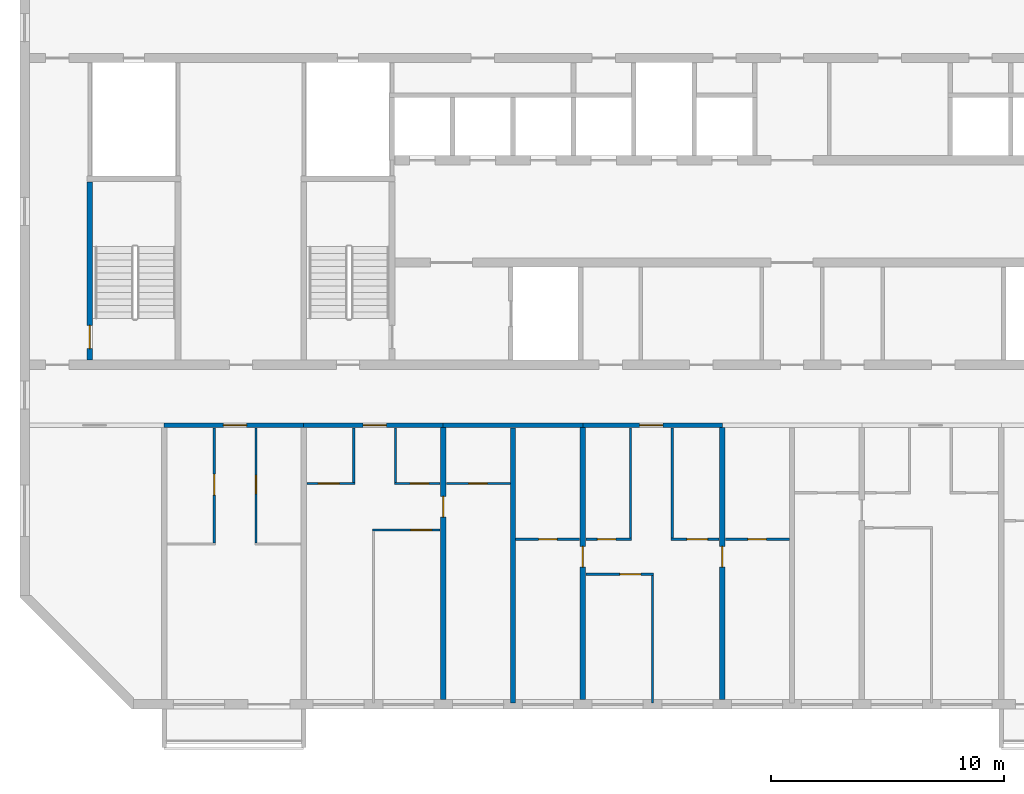
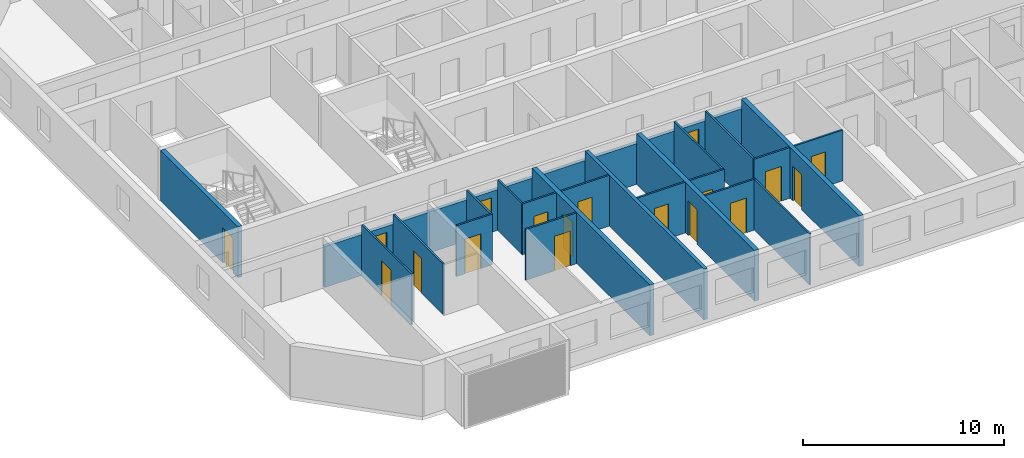
# One storey, part 2 of 28: 25 walls, 18 doors, 18 openings.
"""IFC4 building model written with IfcOpenShell, lengths in metres."""

from ifc_helpers import new_model, si_unit, direction, frame, frame_2d, origin, place, context, subcontext, project, spatial, rectangle, extrude, material, layer, layer_set, type_object, element, fill, save


model = new_model("IFC4")

# Units and contexts
model_context = context("Model", 3, precision=1e-05, world=origin(), true_north=direction((0.0, 1.0)))
body_context = subcontext(model_context, "Body", "Model", "MODEL_VIEW")
ifc_project = project(units=[si_unit("LENGTHUNIT", "METRE"), si_unit("AREAUNIT", "SQUARE_METRE"), si_unit("VOLUMEUNIT", "CUBIC_METRE"), si_unit("PLANEANGLEUNIT", "RADIAN"), si_unit("MASSUNIT", "GRAM", prefix="KILO")], contexts=[model_context])

# Site, building, storey
site_placement = place(None, origin())
site = spatial("IfcSite", under=ifc_project, at=site_placement, CompositionType="ELEMENT")
building_placement = place(site_placement, origin())
building = spatial("IfcBuilding", under=site, at=building_placement, Name="Poui Terraces", CompositionType="ELEMENT")
storey_placement = place(building_placement, frame((0.0, 0.0, 185.10009765625)))
storey = spatial("IfcBuildingStorey", under=building, at=storey_placement, Name="L51", CompositionType="ELEMENT", Elevation=185.10009765625)

# Wall, opening, door
ifc_material_1 = material(Name="Concrete 50 MPa", Category="concrete")
ifc_layer_1 = layer(ifc_material_1, 0.199951171875)
ifc_layer_set_1 = layer_set([ifc_layer_1], Name="Concrete 50 MPa")
wall_type_1 = type_object("IfcWallType", Name="CORRIDOR WALL 200 50MPa", PredefinedType="SHEAR", material=ifc_layer_set_1)
wall_1_placement = place(storey_placement, frame((24.0, 12.0, 0.0), z_axis=(0.0, 0.0, 1.0), x_axis=(1.0, 0.0, 0.0)))
wall_1 = element("IfcWall", 1, at=wall_1_placement, inside=storey, type_object=wall_type_1, Name="CORRIDOR WALL LINE B BAY 2", PredefinedType="SHEAR", context=body_context, shape_type="SweptSolid", body=[
    extrude(rectangle(XDim=6.0, YDim=0.199951171875, at=frame_2d((3.0, 0.0))), origin(), (0.0, 0.0, 1.0), 2.47998046875),
])
opening_1_placement = place(wall_1_placement, frame((2.550048828125, 0.0, 0.0)))
opening_1 = element("IfcOpeningElement", 2, at=opening_1_placement, cuts=wall_1, Name="Opening FD30S", PredefinedType="OPENING", context=body_context, shape_type="SweptSolid", body=[
    extrude(rectangle(XDim=1.0, YDim=2.10009765625, at=frame_2d((0.5, 1.050048828125))), frame((0.0, 0.10986328125, 0.0), z_axis=(0.0, -1.0, 0.0), x_axis=(1.0, 0.0, 0.0)), (0.0, 0.0, 1.0), 0.219970703125),
])
ifc_material_2 = material(Name="Steel fire door", Category="steel")
door_type_1 = type_object("IfcDoorType", Name="FLAT ENTRANCE DOOR 1000 X 2100", OperationType="NOTDEFINED", PredefinedType="DOOR", material=ifc_material_2)
door_1_placement = place(opening_1_placement, frame((1.0, 0.0, 0.0), z_axis=(0.0, 0.0, 1.0), x_axis=(-1.0, 0.0, 0.0)))
door_1 = element("IfcDoor", 3, at=door_1_placement, inside=storey, type_object=door_type_1, Name="FLAT ENTRANCE DOOR 066", OperationType="SINGLE_SWING_LEFT", OverallHeight=2.10009765625, OverallWidth=1.0, PredefinedType="DOOR", context=body_context, shape_type="SweptSolid", body=[
    extrude(rectangle(XDim=1.0, YDim=2.10009765625, at=frame_2d((0.5, 1.050048828125))), frame((0.0, 0.02490234375, 0.0), z_axis=(0.0, -1.0, 0.0), x_axis=(1.0, 0.0, 0.0)), (0.0, 0.0, 1.0), 0.050048828125),
])
fill(opening_1, door_1)

wall_2_placement = place(storey_placement, frame((30.0, 12.0, 0.0), z_axis=(0.0, 0.0, 1.0), x_axis=(1.0, 0.0, 0.0)))
wall_2 = element("IfcWall", 4, at=wall_2_placement, inside=storey, type_object=wall_type_1, Name="CORRIDOR WALL LINE B BAY 3", PredefinedType="SHEAR", context=body_context, shape_type="SweptSolid", body=[
    extrude(rectangle(XDim=6.0, YDim=0.199951171875, at=frame_2d((3.0, 0.0))), origin(), (0.0, 0.0, 1.0), 2.47998046875),
])
opening_2_placement = place(wall_2_placement, frame((2.550048828125, 0.0, 0.0)))
opening_2 = element("IfcOpeningElement", 5, at=opening_2_placement, cuts=wall_2, Name="Opening FD30S", PredefinedType="OPENING", context=body_context, shape_type="SweptSolid", body=[
    extrude(rectangle(XDim=1.0, YDim=2.10009765625, at=frame_2d((0.5, 1.050048828125))), frame((0.0, 0.10986328125, 0.0), z_axis=(0.0, -1.0, 0.0), x_axis=(1.0, 0.0, 0.0)), (0.0, 0.0, 1.0), 0.219970703125),
])
door_2_placement = place(opening_2_placement, frame((1.0, 0.0, 0.0), z_axis=(0.0, 0.0, 1.0), x_axis=(-1.0, 0.0, 0.0)))
door_2 = element("IfcDoor", 6, at=door_2_placement, inside=storey, type_object=door_type_1, Name="FLAT ENTRANCE DOOR 070", OperationType="SINGLE_SWING_LEFT", OverallHeight=2.10009765625, OverallWidth=1.0, PredefinedType="DOOR", context=body_context, shape_type="SweptSolid", body=[
    extrude(rectangle(XDim=1.0, YDim=2.10009765625, at=frame_2d((0.5, 1.050048828125))), frame((0.0, 0.02490234375, 0.0), z_axis=(0.0, -1.0, 0.0), x_axis=(1.0, 0.0, 0.0)), (0.0, 0.0, 1.0), 0.050048828125),
])
fill(opening_2, door_2)

# Wall
wall_3_placement = place(storey_placement, frame((36.0, 12.0, 0.0), z_axis=(0.0, 0.0, 1.0), x_axis=(1.0, 0.0, 0.0)))
element("IfcWall", 7, at=wall_3_placement, inside=storey, type_object=wall_type_1, Name="CORRIDOR WALL LINE B BAY 4", PredefinedType="SHEAR", context=body_context, shape_type="SweptSolid", body=[
    extrude(rectangle(XDim=6.0, YDim=0.199951171875, at=frame_2d((3.0, 0.0))), origin(), (0.0, 0.0, 1.0), 2.47998046875),
])

# Wall, opening, door
wall_4_placement = place(storey_placement, frame((42.0, 12.0, 0.0), z_axis=(0.0, 0.0, 1.0), x_axis=(1.0, 0.0, 0.0)))
wall_4 = element("IfcWall", 8, at=wall_4_placement, inside=storey, type_object=wall_type_1, Name="CORRIDOR WALL LINE B BAY 5", PredefinedType="SHEAR", context=body_context, shape_type="SweptSolid", body=[
    extrude(rectangle(XDim=6.0, YDim=0.199951171875, at=frame_2d((3.0, 0.0))), origin(), (0.0, 0.0, 1.0), 2.47998046875),
])
opening_3_placement = place(wall_4_placement, frame((2.449951171875, 0.0, 0.0)))
opening_3 = element("IfcOpeningElement", 9, at=opening_3_placement, cuts=wall_4, Name="Opening FD30S", PredefinedType="OPENING", context=body_context, shape_type="SweptSolid", body=[
    extrude(rectangle(XDim=1.0, YDim=2.10009765625, at=frame_2d((0.5, 1.050048828125))), frame((0.0, 0.10986328125, 0.0), z_axis=(0.0, -1.0, 0.0), x_axis=(1.0, 0.0, 0.0)), (0.0, 0.0, 1.0), 0.219970703125),
])
door_3_placement = place(opening_3_placement, frame((1.0, 0.0, 0.0), z_axis=(0.0, 0.0, 1.0), x_axis=(-1.0, 0.0, 0.0)))
door_3 = element("IfcDoor", 10, at=door_3_placement, inside=storey, type_object=door_type_1, Name="FLAT ENTRANCE DOOR 079", OperationType="SINGLE_SWING_RIGHT", OverallHeight=2.10009765625, OverallWidth=1.0, PredefinedType="DOOR", context=body_context, shape_type="SweptSolid", body=[
    extrude(rectangle(XDim=1.0, YDim=2.10009765625, at=frame_2d((0.5, 1.050048828125))), frame((0.0, 0.02490234375, 0.0), z_axis=(0.0, -1.0, 0.0), x_axis=(1.0, 0.0, 0.0)), (0.0, 0.0, 1.0), 0.050048828125),
])
fill(opening_3, door_3)

ifc_layer_2 = layer(ifc_material_1, 0.25)
ifc_layer_set_2 = layer_set([ifc_layer_2], Name="Concrete 50 MPa")
wall_type_2 = type_object("IfcWallType", Name="CROSS WALL 250 50MPa", PredefinedType="SHEAR", material=ifc_layer_set_2)
wall_5_placement = place(storey_placement, frame((36.0, 0.199951171875, 0.0), z_axis=(0.0, 0.0, 1.0), x_axis=(0.0, 1.0, 0.0)))
wall_5 = element("IfcWall", 11, at=wall_5_placement, inside=storey, type_object=wall_type_2, Name="CROSS WALL LINE 7 SOUTH", PredefinedType="SHEAR", context=body_context, shape_type="SweptSolid", body=[
    extrude(rectangle(XDim=11.699951171875, YDim=0.25, at=frame_2d((5.85009765625, 0.0))), origin(), (0.0, 0.0, 1.0), 3.079833984375),
])
opening_4_placement = place(wall_5_placement, frame((7.85009765625, 0.0, 0.0)))
opening_4 = element("IfcOpeningElement", 12, at=opening_4_placement, cuts=wall_5, Name="Opening D90", PredefinedType="OPENING", context=body_context, shape_type="SweptSolid", body=[
    extrude(rectangle(XDim=0.89990234375, YDim=2.10009765625, at=frame_2d((0.449951171875, 1.050048828125))), frame((0.0, 0.135009765625, 0.0), z_axis=(0.0, -1.0, 0.0), x_axis=(1.0, 0.0, 0.0)), (0.0, 0.0, 1.0), 0.27001953125),
])
ifc_material_3 = material(Name="Solid core timber door", Category="wood")
door_type_2 = type_object("IfcDoorType", Name="INTERNAL DOOR 900 X 2100", OperationType="NOTDEFINED", PredefinedType="DOOR", material=ifc_material_3)
door_4_placement = place(opening_4_placement, frame((0.89990234375, 0.0, 0.0), z_axis=(0.0, 0.0, 1.0), x_axis=(-1.0, 0.0, 0.0)))
door_4 = element("IfcDoor", 13, at=door_4_placement, inside=storey, type_object=door_type_2, Name="INTERNAL DOOR 073", OperationType="SINGLE_SWING_LEFT", OverallHeight=2.10009765625, OverallWidth=0.89990234375, PredefinedType="DOOR", context=body_context, shape_type="SweptSolid", body=[
    extrude(rectangle(XDim=0.89990234375, YDim=2.10009765625, at=frame_2d((0.449951171875, 1.050048828125))), frame((0.0, 0.02490234375, 0.0), z_axis=(0.0, -1.0, 0.0), x_axis=(1.0, 0.0, 0.0)), (0.0, 0.0, 1.0), 0.050048828125),
])
fill(opening_4, door_4)

wall_6_placement = place(storey_placement, frame((42.0, 0.199951171875, 0.0), z_axis=(0.0, 0.0, 1.0), x_axis=(0.0, 1.0, 0.0)))
wall_6 = element("IfcWall", 14, at=wall_6_placement, inside=storey, type_object=wall_type_2, Name="CROSS WALL LINE 8 SOUTH", PredefinedType="SHEAR", context=body_context, shape_type="SweptSolid", body=[
    extrude(rectangle(XDim=11.699951171875, YDim=0.25, at=frame_2d((5.85009765625, 0.0))), origin(), (0.0, 0.0, 1.0), 3.079833984375),
])
opening_5_placement = place(wall_6_placement, frame((5.699951171875, 0.0, 0.0)))
opening_5 = element("IfcOpeningElement", 15, at=opening_5_placement, cuts=wall_6, Name="Opening D90", PredefinedType="OPENING", context=body_context, shape_type="SweptSolid", body=[
    extrude(rectangle(XDim=0.89990234375, YDim=2.10009765625, at=frame_2d((0.449951171875, 1.050048828125))), frame((0.0, 0.135009765625, 0.0), z_axis=(0.0, -1.0, 0.0), x_axis=(1.0, 0.0, 0.0)), (0.0, 0.0, 1.0), 0.27001953125),
])
door_5_placement = place(opening_5_placement, origin())
door_5 = element("IfcDoor", 16, at=door_5_placement, inside=storey, type_object=door_type_2, Name="INTERNAL DOOR 076", OperationType="SINGLE_SWING_RIGHT", OverallHeight=2.10009765625, OverallWidth=0.89990234375, PredefinedType="DOOR", context=body_context, shape_type="SweptSolid", body=[
    extrude(rectangle(XDim=0.89990234375, YDim=2.10009765625, at=frame_2d((0.449951171875, 1.050048828125))), frame((0.0, 0.02490234375, 0.0), z_axis=(0.0, -1.0, 0.0), x_axis=(1.0, 0.0, 0.0)), (0.0, 0.0, 1.0), 0.050048828125),
])
fill(opening_5, door_5)

wall_7_placement = place(storey_placement, frame((48.0, 0.199951171875, 0.0), z_axis=(0.0, 0.0, 1.0), x_axis=(0.0, 1.0, 0.0)))
wall_7 = element("IfcWall", 17, at=wall_7_placement, inside=storey, type_object=wall_type_2, Name="CROSS WALL LINE 9 SOUTH", PredefinedType="SHEAR", context=body_context, shape_type="SweptSolid", body=[
    extrude(rectangle(XDim=11.699951171875, YDim=0.25, at=frame_2d((5.85009765625, 0.0))), origin(), (0.0, 0.0, 1.0), 3.079833984375),
])
opening_6_placement = place(wall_7_placement, frame((5.699951171875, 0.0, 0.0)))
opening_6 = element("IfcOpeningElement", 18, at=opening_6_placement, cuts=wall_7, Name="Opening D90", PredefinedType="OPENING", context=body_context, shape_type="SweptSolid", body=[
    extrude(rectangle(XDim=0.89990234375, YDim=2.10009765625, at=frame_2d((0.449951171875, 1.050048828125))), frame((0.0, 0.135009765625, 0.0), z_axis=(0.0, -1.0, 0.0), x_axis=(1.0, 0.0, 0.0)), (0.0, 0.0, 1.0), 0.27001953125),
])
door_6_placement = place(opening_6_placement, frame((0.89990234375, 0.0, 0.0), z_axis=(0.0, 0.0, 1.0), x_axis=(-1.0, 0.0, 0.0)))
door_6 = element("IfcDoor", 19, at=door_6_placement, inside=storey, type_object=door_type_2, Name="INTERNAL DOOR 081", OperationType="SINGLE_SWING_LEFT", OverallHeight=2.10009765625, OverallWidth=0.89990234375, PredefinedType="DOOR", context=body_context, shape_type="SweptSolid", body=[
    extrude(rectangle(XDim=0.89990234375, YDim=2.10009765625, at=frame_2d((0.449951171875, 1.050048828125))), frame((0.0, 0.02490234375, 0.0), z_axis=(0.0, -1.0, 0.0), x_axis=(1.0, 0.0, 0.0)), (0.0, 0.0, 1.0), 0.050048828125),
])
fill(opening_6, door_6)

ifc_material_4 = material(Name="Plasterboard partition")
ifc_layer_3 = layer(ifc_material_4, 0.10009765625)
ifc_layer_set_3 = layer_set([ifc_layer_3], Name="Plasterboard partition")
wall_type_3 = type_object("IfcWallType", Name="FLAT PARTITION 100", PredefinedType="PARTITIONING", material=ifc_layer_set_3)
wall_8_placement = place(storey_placement, frame((42.135009765625, 5.60009765625, 0.0), z_axis=(0.0, 0.0, 1.0), x_axis=(1.0, 0.0, 0.0)))
wall_8 = element("IfcWall", 20, at=wall_8_placement, inside=storey, type_object=wall_type_3, Name="FLAT PARTITION 100", PredefinedType="PARTITIONING", context=body_context, shape_type="SweptSolid", body=[
    extrude(rectangle(XDim=2.9150390625, YDim=0.10009765625, at=frame_2d((1.45751953125, 0.0))), origin(), (0.0, 0.0, 1.0), 3.079833984375),
])
opening_7_placement = place(wall_8_placement, frame((1.465087890625, 0.0, 0.0)))
opening_7 = element("IfcOpeningElement", 21, at=opening_7_placement, cuts=wall_8, Name="Opening D90", PredefinedType="OPENING", context=body_context, shape_type="SweptSolid", body=[
    extrude(rectangle(XDim=0.89990234375, YDim=2.10009765625, at=frame_2d((0.449951171875, 1.050048828125))), frame((0.0, 0.06005859375, 0.0), z_axis=(0.0, -1.0, 0.0), x_axis=(1.0, 0.0, 0.0)), (0.0, 0.0, 1.0), 0.1201171875),
])
door_7_placement = place(opening_7_placement, origin())
door_7 = element("IfcDoor", 22, at=door_7_placement, inside=storey, type_object=door_type_2, Name="INTERNAL DOOR 078", OperationType="SINGLE_SWING_LEFT", OverallHeight=2.10009765625, OverallWidth=0.89990234375, PredefinedType="DOOR", context=body_context, shape_type="SweptSolid", body=[
    extrude(rectangle(XDim=0.89990234375, YDim=2.10009765625, at=frame_2d((0.449951171875, 1.050048828125))), frame((0.0, 0.02490234375, 0.0), z_axis=(0.0, -1.0, 0.0), x_axis=(1.0, 0.0, 0.0)), (0.0, 0.0, 1.0), 0.050048828125),
])
fill(opening_7, door_7)

wall_9_placement = place(storey_placement, frame((39.10009765625, 7.10009765625, 0.0), z_axis=(0.0, 0.0, 1.0), x_axis=(1.0, 0.0, 0.0)))
wall_9 = element("IfcWall", 23, at=wall_9_placement, inside=storey, type_object=wall_type_3, Name="FLAT PARTITION 100", PredefinedType="PARTITIONING", context=body_context, shape_type="SweptSolid", body=[
    extrude(rectangle(XDim=2.764892578125, YDim=0.10009765625, at=frame_2d((1.38232421875, 0.0))), origin(), (0.0, 0.0, 1.0), 3.079833984375),
])
opening_8_placement = place(wall_9_placement, frame((1.0, 0.0, 0.0)))
opening_8 = element("IfcOpeningElement", 24, at=opening_8_placement, cuts=wall_9, Name="Opening D80", PredefinedType="OPENING", context=body_context, shape_type="SweptSolid", body=[
    extrude(rectangle(XDim=0.800048828125, YDim=2.10009765625, at=frame_2d((0.39990234375, 1.050048828125))), frame((0.0, 0.06005859375, 0.0), z_axis=(0.0, -1.0, 0.0), x_axis=(1.0, 0.0, 0.0)), (0.0, 0.0, 1.0), 0.1201171875),
])
door_type_3 = type_object("IfcDoorType", Name="BATHROOM, LAUNDRY AND STORE DOOR 800 X 2100", OperationType="NOTDEFINED", PredefinedType="DOOR", material=ifc_material_3)
door_8_placement = place(opening_8_placement, origin())
door_8 = element("IfcDoor", 25, at=door_8_placement, inside=storey, type_object=door_type_3, Name="BATHROOM, LAUNDRY AND STORE DOOR 074", OperationType="SINGLE_SWING_RIGHT", OverallHeight=2.10009765625, OverallWidth=0.800048828125, PredefinedType="DOOR", context=body_context, shape_type="SweptSolid", body=[
    extrude(rectangle(XDim=0.800048828125, YDim=2.10009765625, at=frame_2d((0.39990234375, 1.050048828125))), frame((0.0, 0.02490234375, 0.0), z_axis=(0.0, -1.0, 0.0), x_axis=(1.0, 0.0, 0.0)), (0.0, 0.0, 1.0), 0.050048828125),
])
fill(opening_8, door_8)

wall_10_placement = place(storey_placement, frame((42.135009765625, 7.10009765625, 0.0), z_axis=(0.0, 0.0, 1.0), x_axis=(1.0, 0.0, 0.0)))
wall_10 = element("IfcWall", 26, at=wall_10_placement, inside=storey, type_object=wall_type_3, Name="FLAT PARTITION 100", PredefinedType="PARTITIONING", context=body_context, shape_type="SweptSolid", body=[
    extrude(rectangle(XDim=1.965087890625, YDim=0.10009765625, at=frame_2d((0.982421875, 0.0))), origin(), (0.0, 0.0, 1.0), 3.079833984375),
])
opening_9_placement = place(wall_10_placement, frame((0.489990234375, 0.0, 0.0)))
opening_9 = element("IfcOpeningElement", 27, at=opening_9_placement, cuts=wall_10, Name="Opening D80", PredefinedType="OPENING", context=body_context, shape_type="SweptSolid", body=[
    extrude(rectangle(XDim=0.800048828125, YDim=2.10009765625, at=frame_2d((0.39990234375, 1.050048828125))), frame((0.0, 0.06005859375, 0.0), z_axis=(0.0, -1.0, 0.0), x_axis=(1.0, 0.0, 0.0)), (0.0, 0.0, 1.0), 0.1201171875),
])
door_9_placement = place(opening_9_placement, origin())
door_9 = element("IfcDoor", 28, at=door_9_placement, inside=storey, type_object=door_type_3, Name="BATHROOM, LAUNDRY AND STORE DOOR 077", OperationType="SINGLE_SWING_RIGHT", OverallHeight=2.10009765625, OverallWidth=0.800048828125, PredefinedType="DOOR", context=body_context, shape_type="SweptSolid", body=[
    extrude(rectangle(XDim=0.800048828125, YDim=2.10009765625, at=frame_2d((0.39990234375, 1.050048828125))), frame((0.0, 0.02490234375, 0.0), z_axis=(0.0, -1.0, 0.0), x_axis=(1.0, 0.0, 0.0)), (0.0, 0.0, 1.0), 0.050048828125),
])
fill(opening_9, door_9)

wall_11_placement = place(storey_placement, frame((45.800048828125, 7.10009765625, 0.0), z_axis=(0.0, 0.0, 1.0), x_axis=(1.0, 0.0, 0.0)))
wall_11 = element("IfcWall", 29, at=wall_11_placement, inside=storey, type_object=wall_type_3, Name="FLAT PARTITION 100", PredefinedType="PARTITIONING", context=body_context, shape_type="SweptSolid", body=[
    extrude(rectangle(XDim=2.06494140625, YDim=0.10009765625, at=frame_2d((1.032470703125, 0.0))), origin(), (0.0, 0.0, 1.0), 3.079833984375),
])
opening_10_placement = place(wall_11_placement, frame((0.675048828125, 0.0, 0.0)))
opening_10 = element("IfcOpeningElement", 30, at=opening_10_placement, cuts=wall_11, Name="Opening D90", PredefinedType="OPENING", context=body_context, shape_type="SweptSolid", body=[
    extrude(rectangle(XDim=0.89990234375, YDim=2.10009765625, at=frame_2d((0.449951171875, 1.050048828125))), frame((0.0, 0.06005859375, 0.0), z_axis=(0.0, -1.0, 0.0), x_axis=(1.0, 0.0, 0.0)), (0.0, 0.0, 1.0), 0.1201171875),
])
door_10_placement = place(opening_10_placement, origin())
door_10 = element("IfcDoor", 31, at=door_10_placement, inside=storey, type_object=door_type_2, Name="INTERNAL DOOR 080", OperationType="SINGLE_SWING_LEFT", OverallHeight=2.10009765625, OverallWidth=0.89990234375, PredefinedType="DOOR", context=body_context, shape_type="SweptSolid", body=[
    extrude(rectangle(XDim=0.89990234375, YDim=2.10009765625, at=frame_2d((0.449951171875, 1.050048828125))), frame((0.0, 0.02490234375, 0.0), z_axis=(0.0, -1.0, 0.0), x_axis=(1.0, 0.0, 0.0)), (0.0, 0.0, 1.0), 0.050048828125),
])
fill(opening_10, door_10)

wall_12_placement = place(storey_placement, frame((48.135009765625, 7.10009765625, 0.0), z_axis=(0.0, 0.0, 1.0), x_axis=(1.0, 0.0, 0.0)))
wall_12 = element("IfcWall", 32, at=wall_12_placement, inside=storey, type_object=wall_type_3, Name="FLAT PARTITION 100", PredefinedType="PARTITIONING", context=body_context, shape_type="SweptSolid", body=[
    extrude(rectangle(XDim=2.764892578125, YDim=0.10009765625, at=frame_2d((1.38232421875, 0.0))), origin(), (0.0, 0.0, 1.0), 3.079833984375),
])
opening_11_placement = place(wall_12_placement, frame((0.965087890625, 0.0, 0.0)))
opening_11 = element("IfcOpeningElement", 33, at=opening_11_placement, cuts=wall_12, Name="Opening D80", PredefinedType="OPENING", context=body_context, shape_type="SweptSolid", body=[
    extrude(rectangle(XDim=0.800048828125, YDim=2.10009765625, at=frame_2d((0.39990234375, 1.050048828125))), frame((0.0, 0.06005859375, 0.0), z_axis=(0.0, -1.0, 0.0), x_axis=(1.0, 0.0, 0.0)), (0.0, 0.0, 1.0), 0.1201171875),
])
door_11_placement = place(opening_11_placement, origin())
door_11 = element("IfcDoor", 34, at=door_11_placement, inside=storey, type_object=door_type_3, Name="BATHROOM, LAUNDRY AND STORE DOOR 075", OperationType="SINGLE_SWING_RIGHT", OverallHeight=2.10009765625, OverallWidth=0.800048828125, PredefinedType="DOOR", context=body_context, shape_type="SweptSolid", body=[
    extrude(rectangle(XDim=0.800048828125, YDim=2.10009765625, at=frame_2d((0.39990234375, 1.050048828125))), frame((0.0, 0.02490234375, 0.0), z_axis=(0.0, -1.0, 0.0), x_axis=(1.0, 0.0, 0.0)), (0.0, 0.0, 1.0), 0.050048828125),
])
fill(opening_11, door_11)

wall_13_placement = place(storey_placement, frame((32.949951171875, 7.5, 0.0), z_axis=(0.0, 0.0, 1.0), x_axis=(1.0, 0.0, 0.0)))
wall_13 = element("IfcWall", 35, at=wall_13_placement, inside=storey, type_object=wall_type_3, Name="FLAT PARTITION 100", PredefinedType="PARTITIONING", context=body_context, shape_type="SweptSolid", body=[
    extrude(rectangle(XDim=2.9150390625, YDim=0.10009765625, at=frame_2d((1.45751953125, 0.0))), origin(), (0.0, 0.0, 1.0), 3.079833984375),
])
opening_12_placement = place(wall_13_placement, frame((1.64990234375, 0.0, 0.0)))
opening_12 = element("IfcOpeningElement", 36, at=opening_12_placement, cuts=wall_13, Name="Opening D90", PredefinedType="OPENING", context=body_context, shape_type="SweptSolid", body=[
    extrude(rectangle(XDim=0.89990234375, YDim=2.10009765625, at=frame_2d((0.449951171875, 1.050048828125))), frame((0.0, 0.06005859375, 0.0), z_axis=(0.0, -1.0, 0.0), x_axis=(1.0, 0.0, 0.0)), (0.0, 0.0, 1.0), 0.1201171875),
])
door_12_placement = place(opening_12_placement, origin())
door_12 = element("IfcDoor", 37, at=door_12_placement, inside=storey, type_object=door_type_2, Name="INTERNAL DOOR 072", OperationType="SINGLE_SWING_LEFT", OverallHeight=2.10009765625, OverallWidth=0.89990234375, PredefinedType="DOOR", context=body_context, shape_type="SweptSolid", body=[
    extrude(rectangle(XDim=0.89990234375, YDim=2.10009765625, at=frame_2d((0.449951171875, 1.050048828125))), frame((0.0, 0.02490234375, 0.0), z_axis=(0.0, -1.0, 0.0), x_axis=(1.0, 0.0, 0.0)), (0.0, 0.0, 1.0), 0.050048828125),
])
fill(opening_12, door_12)

wall_14_placement = place(storey_placement, frame((30.135009765625, 9.5, 0.0), z_axis=(0.0, 0.0, 1.0), x_axis=(1.0, 0.0, 0.0)))
wall_14 = element("IfcWall", 38, at=wall_14_placement, inside=storey, type_object=wall_type_3, Name="FLAT PARTITION 100", PredefinedType="PARTITIONING", context=body_context, shape_type="SweptSolid", body=[
    extrude(rectangle(XDim=2.06494140625, YDim=0.10009765625, at=frame_2d((1.032470703125, 0.0))), origin(), (0.0, 0.0, 1.0), 3.079833984375),
])
opening_13_placement = place(wall_14_placement, frame((0.489990234375, 0.0, 0.0)))
opening_13 = element("IfcOpeningElement", 39, at=opening_13_placement, cuts=wall_14, Name="Opening D90", PredefinedType="OPENING", context=body_context, shape_type="SweptSolid", body=[
    extrude(rectangle(XDim=0.89990234375, YDim=2.10009765625, at=frame_2d((0.449951171875, 1.050048828125))), frame((0.0, 0.06005859375, 0.0), z_axis=(0.0, -1.0, 0.0), x_axis=(1.0, 0.0, 0.0)), (0.0, 0.0, 1.0), 0.1201171875),
])
door_13_placement = place(opening_13_placement, origin())
door_13 = element("IfcDoor", 40, at=door_13_placement, inside=storey, type_object=door_type_2, Name="INTERNAL DOOR 069", OperationType="SINGLE_SWING_LEFT", OverallHeight=2.10009765625, OverallWidth=0.89990234375, PredefinedType="DOOR", context=body_context, shape_type="SweptSolid", body=[
    extrude(rectangle(XDim=0.89990234375, YDim=2.10009765625, at=frame_2d((0.449951171875, 1.050048828125))), frame((0.0, 0.02490234375, 0.0), z_axis=(0.0, -1.0, 0.0), x_axis=(1.0, 0.0, 0.0)), (0.0, 0.0, 1.0), 0.050048828125),
])
fill(opening_13, door_13)

wall_15_placement = place(storey_placement, frame((33.89990234375, 9.5, 0.0), z_axis=(0.0, 0.0, 1.0), x_axis=(1.0, 0.0, 0.0)))
wall_15 = element("IfcWall", 41, at=wall_15_placement, inside=storey, type_object=wall_type_3, Name="FLAT PARTITION 100", PredefinedType="PARTITIONING", context=body_context, shape_type="SweptSolid", body=[
    extrude(rectangle(XDim=1.965087890625, YDim=0.10009765625, at=frame_2d((0.982421875, 0.0))), origin(), (0.0, 0.0, 1.0), 3.079833984375),
])
opening_14_placement = place(wall_15_placement, frame((0.675048828125, 0.0, 0.0)))
opening_14 = element("IfcOpeningElement", 42, at=opening_14_placement, cuts=wall_15, Name="Opening D80", PredefinedType="OPENING", context=body_context, shape_type="SweptSolid", body=[
    extrude(rectangle(XDim=0.800048828125, YDim=2.10009765625, at=frame_2d((0.39990234375, 1.050048828125))), frame((0.0, 0.06005859375, 0.0), z_axis=(0.0, -1.0, 0.0), x_axis=(1.0, 0.0, 0.0)), (0.0, 0.0, 1.0), 0.1201171875),
])
door_14_placement = place(opening_14_placement, origin())
door_14 = element("IfcDoor", 43, at=door_14_placement, inside=storey, type_object=door_type_3, Name="BATHROOM, LAUNDRY AND STORE DOOR 071", OperationType="SINGLE_SWING_RIGHT", OverallHeight=2.10009765625, OverallWidth=0.800048828125, PredefinedType="DOOR", context=body_context, shape_type="SweptSolid", body=[
    extrude(rectangle(XDim=0.800048828125, YDim=2.10009765625, at=frame_2d((0.39990234375, 1.050048828125))), frame((0.0, 0.02490234375, 0.0), z_axis=(0.0, -1.0, 0.0), x_axis=(1.0, 0.0, 0.0)), (0.0, 0.0, 1.0), 0.050048828125),
])
fill(opening_14, door_14)

wall_16_placement = place(storey_placement, frame((36.135009765625, 9.5, 0.0), z_axis=(0.0, 0.0, 1.0), x_axis=(1.0, 0.0, 0.0)))
wall_16 = element("IfcWall", 44, at=wall_16_placement, inside=storey, type_object=wall_type_3, Name="FLAT PARTITION 100", PredefinedType="PARTITIONING", context=body_context, shape_type="SweptSolid", body=[
    extrude(rectangle(XDim=2.764892578125, YDim=0.10009765625, at=frame_2d((1.38232421875, 0.0))), origin(), (0.0, 0.0, 1.0), 3.079833984375),
])
opening_15_placement = place(wall_16_placement, frame((0.965087890625, 0.0, 0.0)))
opening_15 = element("IfcOpeningElement", 45, at=opening_15_placement, cuts=wall_16, Name="Opening D80", PredefinedType="OPENING", context=body_context, shape_type="SweptSolid", body=[
    extrude(rectangle(XDim=0.800048828125, YDim=2.10009765625, at=frame_2d((0.39990234375, 1.050048828125))), frame((0.0, 0.06005859375, 0.0), z_axis=(0.0, -1.0, 0.0), x_axis=(1.0, 0.0, 0.0)), (0.0, 0.0, 1.0), 0.1201171875),
])
door_15_placement = place(opening_15_placement, origin())
door_15 = element("IfcDoor", 46, at=door_15_placement, inside=storey, type_object=door_type_3, Name="BATHROOM, LAUNDRY AND STORE DOOR 068", OperationType="SINGLE_SWING_LEFT", OverallHeight=2.10009765625, OverallWidth=0.800048828125, PredefinedType="DOOR", context=body_context, shape_type="SweptSolid", body=[
    extrude(rectangle(XDim=0.800048828125, YDim=2.10009765625, at=frame_2d((0.39990234375, 1.050048828125))), frame((0.0, 0.02490234375, 0.0), z_axis=(0.0, -1.0, 0.0), x_axis=(1.0, 0.0, 0.0)), (0.0, 0.0, 1.0), 0.050048828125),
])
fill(opening_15, door_15)

wall_17_placement = place(storey_placement, frame((26.14990234375, 6.949951171875, 0.0), z_axis=(0.0, 0.0, 1.0), x_axis=(0.0, 1.0, 0.0)))
wall_17 = element("IfcWall", 47, at=wall_17_placement, inside=storey, type_object=wall_type_3, Name="FLAT PARTITION 100", PredefinedType="PARTITIONING", context=body_context, shape_type="SweptSolid", body=[
    extrude(rectangle(XDim=4.93994140625, YDim=0.10009765625, at=frame_2d((2.469970703125, 0.0))), origin(), (0.0, 0.0, 1.0), 3.079833984375),
])
opening_16_placement = place(wall_17_placement, frame((2.050048828125, 0.0, 0.0)))
opening_16 = element("IfcOpeningElement", 48, at=opening_16_placement, cuts=wall_17, Name="Opening D90", PredefinedType="OPENING", context=body_context, shape_type="SweptSolid", body=[
    extrude(rectangle(XDim=0.89990234375, YDim=2.10009765625, at=frame_2d((0.449951171875, 1.050048828125))), frame((0.0, 0.06005859375, 0.0), z_axis=(0.0, -1.0, 0.0), x_axis=(1.0, 0.0, 0.0)), (0.0, 0.0, 1.0), 0.1201171875),
])
door_16_placement = place(opening_16_placement, origin())
door_16 = element("IfcDoor", 49, at=door_16_placement, inside=storey, type_object=door_type_2, Name="INTERNAL DOOR 065", OperationType="SINGLE_SWING_LEFT", OverallHeight=2.10009765625, OverallWidth=0.89990234375, PredefinedType="DOOR", context=body_context, shape_type="SweptSolid", body=[
    extrude(rectangle(XDim=0.89990234375, YDim=2.10009765625, at=frame_2d((0.449951171875, 1.050048828125))), frame((0.0, 0.02490234375, 0.0), z_axis=(0.0, -1.0, 0.0), x_axis=(1.0, 0.0, 0.0)), (0.0, 0.0, 1.0), 0.050048828125),
])
fill(opening_16, door_16)

wall_18_placement = place(storey_placement, frame((27.949951171875, 6.949951171875, 0.0), z_axis=(0.0, 0.0, 1.0), x_axis=(0.0, 1.0, 0.0)))
wall_18 = element("IfcWall", 50, at=wall_18_placement, inside=storey, type_object=wall_type_3, Name="FLAT PARTITION 100", PredefinedType="PARTITIONING", context=body_context, shape_type="SweptSolid", body=[
    extrude(rectangle(XDim=4.93994140625, YDim=0.10009765625, at=frame_2d((2.469970703125, 0.0))), origin(), (0.0, 0.0, 1.0), 3.079833984375),
])
opening_17_placement = place(wall_18_placement, frame((2.10009765625, 0.0, 0.0)))
opening_17 = element("IfcOpeningElement", 51, at=opening_17_placement, cuts=wall_18, Name="Opening D80", PredefinedType="OPENING", context=body_context, shape_type="SweptSolid", body=[
    extrude(rectangle(XDim=0.800048828125, YDim=2.10009765625, at=frame_2d((0.39990234375, 1.050048828125))), frame((0.0, 0.06005859375, 0.0), z_axis=(0.0, -1.0, 0.0), x_axis=(1.0, 0.0, 0.0)), (0.0, 0.0, 1.0), 0.1201171875),
])
door_17_placement = place(opening_17_placement, frame((0.800048828125, 0.0, 0.0), z_axis=(0.0, 0.0, 1.0), x_axis=(-1.0, 0.0, 0.0)))
door_17 = element("IfcDoor", 52, at=door_17_placement, inside=storey, type_object=door_type_3, Name="BATHROOM, LAUNDRY AND STORE DOOR 067", OperationType="SINGLE_SWING_LEFT", OverallHeight=2.10009765625, OverallWidth=0.800048828125, PredefinedType="DOOR", context=body_context, shape_type="SweptSolid", body=[
    extrude(rectangle(XDim=0.800048828125, YDim=2.10009765625, at=frame_2d((0.39990234375, 1.050048828125))), frame((0.0, 0.02490234375, 0.0), z_axis=(0.0, -1.0, 0.0), x_axis=(1.0, 0.0, 0.0)), (0.0, 0.0, 1.0), 0.050048828125),
])
fill(opening_17, door_17)

# Walls
for number, where, z_axis, x_axis, name in (
    (53, (32.14990234375, 9.550048828125, 0.0), (0.0, 0.0, 1.0), (0.0, 1.0, 0.0), "FLAT PARTITION 100"),
    (54, (33.949951171875, 9.550048828125, 0.0), (0.0, 0.0, 1.0), (0.0, 1.0, 0.0), "FLAT PARTITION 100"),
):
    element("IfcWall", number, at=place(storey_placement, frame(where, z_axis=z_axis, x_axis=x_axis)), inside=storey, type_object=wall_type_3, Name=name, PredefinedType="PARTITIONING", context=body_context, shape_type="SweptSolid", body=[
        extrude(rectangle(XDim=2.33984375, YDim=0.10009765625, at=frame_2d((1.169921875, 0.0))), origin(), (0.0, 0.0, 1.0), 3.079833984375),
    ])
wall_19_placement = place(storey_placement, frame((44.050048828125, 7.14990234375, 0.0), z_axis=(0.0, 0.0, 1.0), x_axis=(0.0, 1.0, 0.0)))
element("IfcWall", 55, at=wall_19_placement, inside=storey, type_object=wall_type_3, Name="FLAT PARTITION 100", PredefinedType="PARTITIONING", context=body_context, shape_type="SweptSolid", body=[
    extrude(rectangle(XDim=4.739990234375, YDim=0.10009765625, at=frame_2d((2.3701171875, 0.0))), origin(), (0.0, 0.0, 1.0), 3.079833984375),
])
wall_20_placement = place(storey_placement, frame((45.0, 0.06005859375, 0.0), z_axis=(0.0, 0.0, 1.0), x_axis=(0.0, 1.0, 0.0)))
element("IfcWall", 56, at=wall_20_placement, inside=storey, type_object=wall_type_3, Name="FLAT PARTITION 100", PredefinedType="PARTITIONING", context=body_context, shape_type="SweptSolid", body=[
    extrude(rectangle(XDim=5.489990234375, YDim=0.10009765625, at=frame_2d((2.7451171875, 0.0))), origin(), (0.0, 0.0, 1.0), 3.079833984375),
])
wall_21_placement = place(storey_placement, frame((45.85009765625, 7.14990234375, 0.0), z_axis=(0.0, 0.0, 1.0), x_axis=(0.0, 1.0, 0.0)))
element("IfcWall", 57, at=wall_21_placement, inside=storey, type_object=wall_type_3, Name="FLAT PARTITION 100", PredefinedType="PARTITIONING", context=body_context, shape_type="SweptSolid", body=[
    extrude(rectangle(XDim=4.739990234375, YDim=0.10009765625, at=frame_2d((2.3701171875, 0.0))), origin(), (0.0, 0.0, 1.0), 3.079833984375),
])
ifc_material_5 = material(Name="Fire-rated masonry wall", Category="masonry")
ifc_layer_4 = layer(ifc_material_5, 0.199951171875)
ifc_layer_set_4 = layer_set([ifc_layer_4], Name="Fire-rated masonry wall")
wall_type_4 = type_object("IfcWallType", Name="FLAT PARTY WALL 200", PredefinedType="PARTITIONING", material=ifc_layer_set_4)
wall_22_placement = place(storey_placement, frame((39.0, 0.06005859375, 0.0), z_axis=(0.0, 0.0, 1.0), x_axis=(0.0, 1.0, 0.0)))
element("IfcWall", 58, at=wall_22_placement, inside=storey, type_object=wall_type_4, Name="FLAT PARTY WALL 200", PredefinedType="PARTITIONING", context=body_context, shape_type="SweptSolid", body=[
    extrude(rectangle(XDim=11.829833984375, YDim=0.199951171875, at=frame_2d((5.9150390625, 0.0))), origin(), (0.0, 0.0, 1.0), 3.079833984375),
])

# Wall, opening, door
ifc_layer_5 = layer(ifc_material_1, 0.25)
ifc_layer_set_5 = layer_set([ifc_layer_5], Name="Concrete 50 MPa")
wall_type_5 = type_object("IfcWallType", Name="STAIR CORE WALL 250 50 MPA", PredefinedType="SOLIDWALL", material=ifc_layer_set_5)
wall_23_placement = place(storey_placement, frame((20.800048828125, 14.800048828125, 0.0), z_axis=(0.0, 0.0, 1.0), x_axis=(0.0, 1.0, 0.0)))
wall_23 = element("IfcWall", 59, at=wall_23_placement, inside=storey, type_object=wall_type_5, Name="STAIR CORE WALL", PredefinedType="SOLIDWALL", context=body_context, shape_type="SweptSolid", body=[
    extrude(rectangle(XDim=7.675048828125, YDim=0.25, at=frame_2d((3.83740234375, 0.0))), origin(), (0.0, 0.0, 1.0), 3.079833984375),
])
opening_18_placement = place(wall_23_placement, frame((0.5, 0.0, 0.0)))
opening_18 = element("IfcOpeningElement", 60, at=opening_18_placement, cuts=wall_23, Name="Opening FD60S", PredefinedType="OPENING", context=body_context, shape_type="SweptSolid", body=[
    extrude(rectangle(XDim=1.0, YDim=2.10009765625, at=frame_2d((0.5, 1.050048828125))), frame((0.0, 0.135009765625, 0.0), z_axis=(0.0, -1.0, 0.0), x_axis=(1.0, 0.0, 0.0)), (0.0, 0.0, 1.0), 0.27001953125),
])
door_type_4 = type_object("IfcDoorType", Name="STAIR DOOR 1000 X 2100", OperationType="NOTDEFINED", PredefinedType="DOOR", material=ifc_material_2)
door_18_placement = place(opening_18_placement, frame((1.0, 0.0, 0.0), z_axis=(0.0, 0.0, 1.0), x_axis=(-1.0, 0.0, 0.0)))
door_18 = element("IfcDoor", 61, at=door_18_placement, inside=storey, type_object=door_type_4, Name="STAIR DOOR 118", OperationType="SINGLE_SWING_RIGHT", OverallHeight=2.10009765625, OverallWidth=1.0, PredefinedType="DOOR", context=body_context, shape_type="SweptSolid", body=[
    extrude(rectangle(XDim=1.0, YDim=2.10009765625, at=frame_2d((0.5, 1.050048828125))), frame((0.0, 0.02490234375, 0.0), z_axis=(0.0, -1.0, 0.0), x_axis=(1.0, 0.0, 0.0)), (0.0, 0.0, 1.0), 0.050048828125),
])
fill(opening_18, door_18)

save(model, "model.ifc")
